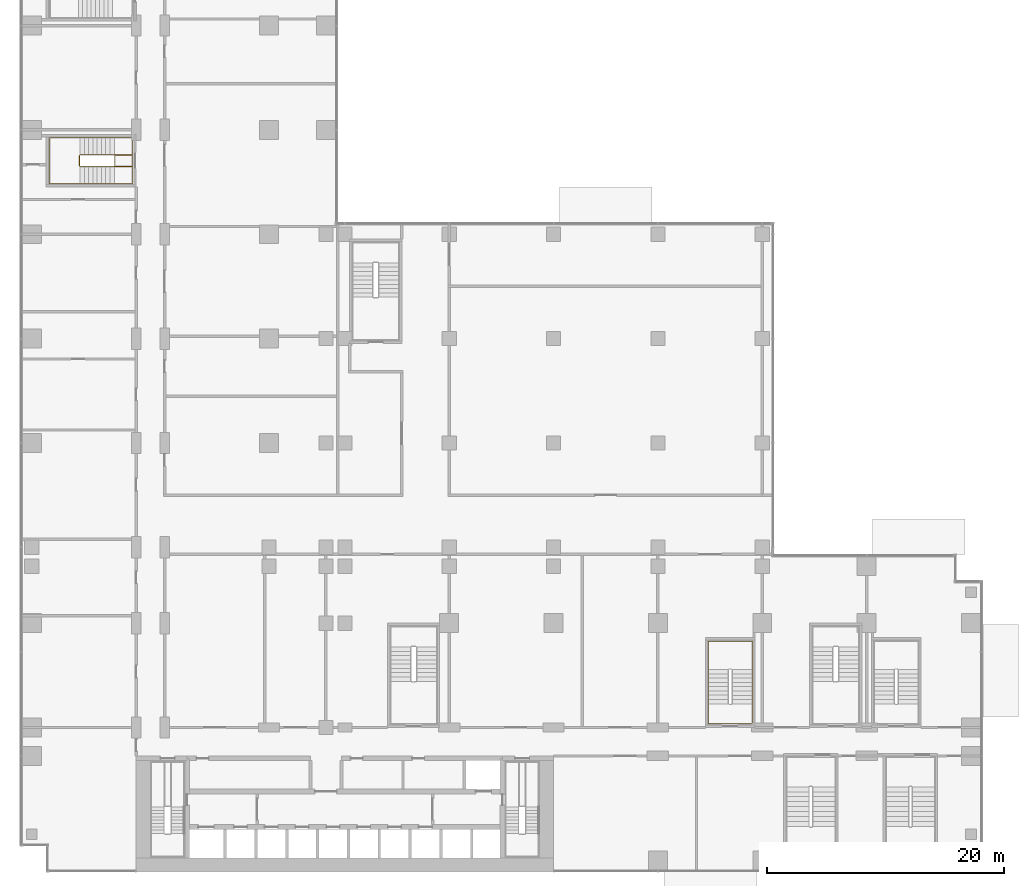
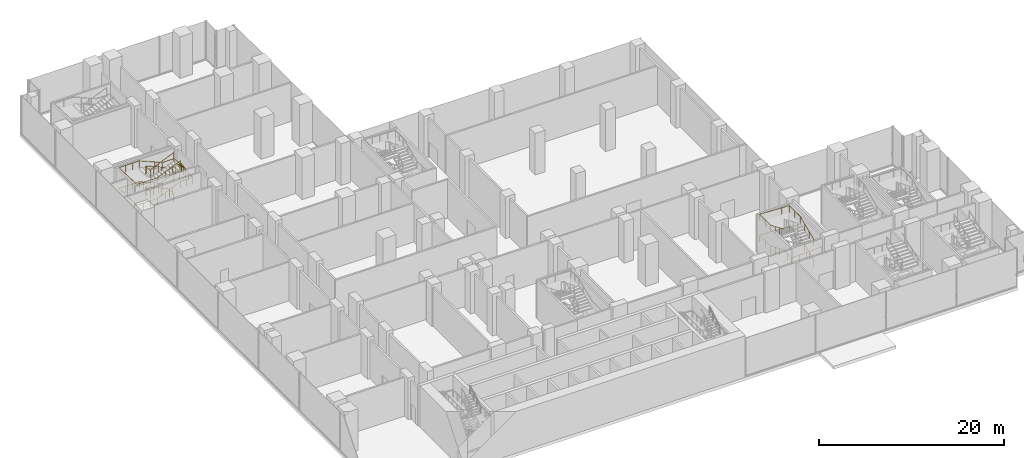
# One storey, part 27 of 30: 3 railings.
"""IFC4 building model written with IfcOpenShell, lengths in metres."""

from ifc_helpers import new_model, si_unit, direction, frame, origin, origin_2d, place, context, subcontext, project, spatial, circle, extrude, material, type_object, element, save


model = new_model("IFC4")

# Units and contexts
model_context = context("Model", 3, precision=1e-05, world=origin(), true_north=direction((0.0, 1.0)))
body_context = subcontext(model_context, "Body", "Model", "MODEL_VIEW")
ifc_project = project(units=[si_unit("LENGTHUNIT", "METRE"), si_unit("AREAUNIT", "SQUARE_METRE"), si_unit("VOLUMEUNIT", "CUBIC_METRE"), si_unit("PLANEANGLEUNIT", "RADIAN"), si_unit("MASSUNIT", "GRAM", prefix="KILO")], contexts=[model_context])

# Site, building, storey
site_placement = place(None, origin())
site = spatial("IfcSite", under=ifc_project, at=site_placement, CompositionType="ELEMENT")
building_placement = place(site_placement, origin())
building = spatial("IfcBuilding", under=site, at=building_placement, Name="Kemantara Hotel Tower", CompositionType="ELEMENT")
storey_placement = place(building_placement, frame((0.0, 0.0, 7.5)))
storey = spatial("IfcBuildingStorey", under=building, at=storey_placement, Name="L01", CompositionType="ELEMENT", Elevation=7.5)

# Railings
ifc_material = material(Name="Stainless steel balustrade", Category="steel")
railing_type_1 = type_object("IfcRailingType", Name="Stair guard 1100 mm", PredefinedType="GUARDRAIL", material=ifc_material)
railing_1_placement = place(storey_placement, frame((7.949951171875, 59.5, 5.5)))
element("IfcRailing", 1, at=railing_1_placement, inside=storey, type_object=railing_type_1, Name="L01 ST4 stair guard 1", PredefinedType="GUARDRAIL", context=body_context, shape_type="SweptSolid", body=[
    extrude(circle(Radius=0.02392578125, at=origin_2d()), frame((0.0, 0.0, 1.076171875), z_axis=(-0.920535863683, 0.0, -0.390658064903), x_axis=(0.0, -1.0, 0.0)), (0.0, 0.0, 1.0), 3.12841796875),
    extrude(circle(Radius=0.02392578125, at=origin_2d()), frame((-2.8798828125, 0.0, -0.14599609375), z_axis=(-0.297155754911, 0.297155754911, -0.90741220768), x_axis=(-0.707106781187, -0.707106781187, 0.0)), (0.0, 0.0, 1.0), 0.16845703125),
    extrude(circle(Radius=0.02392578125, at=origin_2d()), frame((-2.929931640625, 0.050048828125, -0.298828125), z_axis=(0.0, 1.0, 0.0), x_axis=(-1.0, 0.0, 0.0)), (0.0, 0.0, 1.0), 0.89990234375),
    extrude(circle(Radius=0.02392578125, at=origin_2d()), frame((-2.929931640625, 0.949951171875, -0.298828125), z_axis=(0.707106781187, 0.707106781187, 0.0), x_axis=(-0.707106781187, 0.707106781187, 0.0)), (0.0, 0.0, 1.0), 0.07080078125),
    extrude(circle(Radius=0.02392578125, at=origin_2d()), frame((-2.8798828125, 1.0, -0.298828125), z_axis=(0.920535863683, 0.0, -0.390658064903), x_axis=(0.0, 1.0, 0.0)), (0.0, 0.0, 1.0), 3.12841796875),
    extrude(circle(Radius=0.02392578125, at=origin_2d()), frame((0.0, 1.0, -1.52099609375), z_axis=(1.0, 0.0, 0.0), x_axis=(0.0, 1.0, 0.0)), (0.0, 0.0, 1.0), 1.530029296875),
    extrude(circle(Radius=0.02392578125, at=origin_2d()), frame((1.530029296875, 1.0, -1.52099609375), z_axis=(0.0, -0.98730409242, -0.158841521936), x_axis=(1.0, 0.0, 0.0)), (0.0, 0.0, 1.0), 0.962158203125),
    extrude(circle(Radius=0.02392578125, at=origin_2d()), frame((1.530029296875, 0.050048828125, -1.673828125), z_axis=(-1.0, 0.0, 0.0), x_axis=(0.0, -1.0, 0.0)), (0.0, 0.0, 1.0), 1.47998046875),
    extrude(circle(Radius=0.02392578125, at=origin_2d()), frame((0.050048828125, 0.050048828125, -1.673828125), z_axis=(0.0, 1.0, 0.0), x_axis=(-1.0, 0.0, 0.0)), (0.0, 0.0, 1.0), 0.89990234375),
    extrude(circle(Radius=0.02392578125, at=origin_2d()), frame((0.050048828125, 0.949951171875, -1.673828125), z_axis=(1.0, 0.0, 0.0), x_axis=(0.0, 1.0, 0.0)), (0.0, 0.0, 1.0), 1.47998046875),
    extrude(circle(Radius=0.02392578125, at=origin_2d()), frame((1.530029296875, 0.949951171875, -1.673828125), z_axis=(0.0, -1.0, 0.0), x_axis=(1.0, 0.0, 0.0)), (0.0, 0.0, 1.0), 0.949951171875),
    extrude(circle(Radius=0.02392578125, at=origin_2d()), frame((1.530029296875, 0.0, -1.673828125), z_axis=(-1.0, 0.0, 0.0), x_axis=(0.0, -1.0, 0.0)), (0.0, 0.0, 1.0), 1.530029296875),
    extrude(circle(Radius=0.02392578125, at=origin_2d()), frame((0.0, 0.0, -1.673828125), z_axis=(-0.920535863683, 0.0, -0.390658064903), x_axis=(0.0, -1.0, 0.0)), (0.0, 0.0, 1.0), 3.12841796875),
    extrude(circle(Radius=0.02392578125, at=origin_2d()), frame((-2.8798828125, 0.0, -2.89599609375), z_axis=(-0.297155754911, 0.297155754911, -0.90741220768), x_axis=(-0.707106781187, -0.707106781187, 0.0)), (0.0, 0.0, 1.0), 0.16845703125),
    extrude(circle(Radius=0.02392578125, at=origin_2d()), frame((-2.929931640625, 0.050048828125, -3.048828125), z_axis=(0.0, 1.0, 0.0), x_axis=(-1.0, 0.0, 0.0)), (0.0, 0.0, 1.0), 0.89990234375),
    extrude(circle(Radius=0.02392578125, at=origin_2d()), frame((-2.929931640625, 0.949951171875, -3.048828125), z_axis=(0.707106781187, 0.707106781187, 0.0), x_axis=(-0.707106781187, 0.707106781187, 0.0)), (0.0, 0.0, 1.0), 0.07080078125),
    extrude(circle(Radius=0.02392578125, at=origin_2d()), frame((-2.8798828125, 1.0, -3.048828125), z_axis=(0.920535863683, 0.0, -0.390658064903), x_axis=(0.0, 1.0, 0.0)), (0.0, 0.0, 1.0), 3.12841796875),
    extrude(circle(Radius=0.02392578125, at=origin_2d()), frame((0.0, 1.0, -4.27099609375), z_axis=(0.297155754911, -0.297155754911, -0.90741220768), x_axis=(0.707106781187, 0.707106781187, 0.0)), (0.0, 0.0, 1.0), 0.16845703125),
    extrude(circle(Radius=0.02392578125, at=origin_2d()), frame((0.050048828125, 0.949951171875, -4.423828125), z_axis=(0.0, -1.0, 0.0), x_axis=(1.0, 0.0, 0.0)), (0.0, 0.0, 1.0), 0.89990234375),
    extrude(circle(Radius=0.02099609375, at=origin_2d()), origin(), (0.0, 0.0, 1.0), 1.052001953125),
    extrude(circle(Radius=0.02099609375, at=origin_2d()), frame((-0.9599609375, 0.0, -0.407470703125)), (0.0, 0.0, 1.0), 1.052001953125),
    extrude(circle(Radius=0.02099609375, at=origin_2d()), frame((-1.919921875, 0.0, -0.814697265625)), (0.0, 0.0, 1.0), 1.052001953125),
    extrude(circle(Radius=0.02099609375, at=origin_2d()), frame((-2.8798828125, 0.0, -1.22216796875)), (0.0, 0.0, 1.0), 1.052001953125),
    extrude(circle(Radius=0.02099609375, at=origin_2d()), frame((-2.929931640625, 0.050048828125, -1.375)), (0.0, 0.0, 1.0), 1.052001953125),
    extrude(circle(Radius=0.02099609375, at=origin_2d()), frame((-2.929931640625, 0.949951171875, -1.375)), (0.0, 0.0, 1.0), 1.052001953125),
    extrude(circle(Radius=0.02099609375, at=origin_2d()), frame((-2.8798828125, 1.0, -1.375)), (0.0, 0.0, 1.0), 1.052001953125),
    extrude(circle(Radius=0.02099609375, at=origin_2d()), frame((-1.919921875, 1.0, -1.782470703125)), (0.0, 0.0, 1.0), 1.052001953125),
    extrude(circle(Radius=0.02099609375, at=origin_2d()), frame((-0.9599609375, 1.0, -2.189697265625)), (0.0, 0.0, 1.0), 1.052001953125),
    extrude(circle(Radius=0.02099609375, at=origin_2d()), frame((0.0, 1.0, -2.59716796875)), (0.0, 0.0, 1.0), 1.052001953125),
    extrude(circle(Radius=0.02099609375, at=origin_2d()), frame((0.76513671875, 1.0, -2.59716796875)), (0.0, 0.0, 1.0), 1.052001953125),
    extrude(circle(Radius=0.02099609375, at=origin_2d()), frame((1.530029296875, 1.0, -2.59716796875)), (0.0, 0.0, 1.0), 1.052001953125),
    extrude(circle(Radius=0.02099609375, at=origin_2d()), frame((1.530029296875, 0.050048828125, -2.75)), (0.0, 0.0, 1.0), 1.052001953125),
    extrude(circle(Radius=0.02099609375, at=origin_2d()), frame((0.7900390625, 0.050048828125, -2.75)), (0.0, 0.0, 1.0), 1.052001953125),
    extrude(circle(Radius=0.02099609375, at=origin_2d()), frame((0.050048828125, 0.050048828125, -2.75)), (0.0, 0.0, 1.0), 1.052001953125),
    extrude(circle(Radius=0.02099609375, at=origin_2d()), frame((0.050048828125, 0.949951171875, -2.75)), (0.0, 0.0, 1.0), 1.052001953125),
    extrude(circle(Radius=0.02099609375, at=origin_2d()), frame((0.7900390625, 0.949951171875, -2.75)), (0.0, 0.0, 1.0), 1.052001953125),
    extrude(circle(Radius=0.02099609375, at=origin_2d()), frame((1.530029296875, 0.949951171875, -2.75)), (0.0, 0.0, 1.0), 1.052001953125),
    extrude(circle(Radius=0.02099609375, at=origin_2d()), frame((1.530029296875, 0.0, -2.75)), (0.0, 0.0, 1.0), 1.052001953125),
    extrude(circle(Radius=0.02099609375, at=origin_2d()), frame((0.76513671875, 0.0, -2.75)), (0.0, 0.0, 1.0), 1.052001953125),
    extrude(circle(Radius=0.02099609375, at=origin_2d()), frame((0.0, 0.0, -2.75)), (0.0, 0.0, 1.0), 1.052001953125),
    extrude(circle(Radius=0.02099609375, at=origin_2d()), frame((-0.9599609375, 0.0, -3.157470703125)), (0.0, 0.0, 1.0), 1.052001953125),
    extrude(circle(Radius=0.02099609375, at=origin_2d()), frame((-1.919921875, 0.0, -3.564697265625)), (0.0, 0.0, 1.0), 1.052001953125),
    extrude(circle(Radius=0.02099609375, at=origin_2d()), frame((-2.8798828125, 0.0, -3.97216796875)), (0.0, 0.0, 1.0), 1.052001953125),
    extrude(circle(Radius=0.02099609375, at=origin_2d()), frame((-2.929931640625, 0.050048828125, -4.125)), (0.0, 0.0, 1.0), 1.052001953125),
    extrude(circle(Radius=0.02099609375, at=origin_2d()), frame((-2.929931640625, 0.949951171875, -4.125)), (0.0, 0.0, 1.0), 1.052001953125),
    extrude(circle(Radius=0.02099609375, at=origin_2d()), frame((-2.8798828125, 1.0, -4.125)), (0.0, 0.0, 1.0), 1.052001953125),
    extrude(circle(Radius=0.02099609375, at=origin_2d()), frame((-1.919921875, 1.0, -4.532470703125)), (0.0, 0.0, 1.0), 1.052001953125),
    extrude(circle(Radius=0.02099609375, at=origin_2d()), frame((-0.9599609375, 1.0, -4.939697265625)), (0.0, 0.0, 1.0), 1.052001953125),
    extrude(circle(Radius=0.02099609375, at=origin_2d()), frame((0.0, 1.0, -5.34716796875)), (0.0, 0.0, 1.0), 1.052001953125),
    extrude(circle(Radius=0.02099609375, at=origin_2d()), frame((0.050048828125, 0.949951171875, -5.5)), (0.0, 0.0, 1.0), 1.052001953125),
    extrude(circle(Radius=0.02099609375, at=origin_2d()), frame((0.050048828125, 0.050048828125, -5.5)), (0.0, 0.0, 1.0), 1.052001953125),
])
railing_type_2 = type_object("IfcRailingType", Name="Stair handrail 900 mm", PredefinedType="HANDRAIL", material=ifc_material)
railing_2_placement = place(storey_placement, frame((61.75, 14.199951171875, 0.15283203125)))
element("IfcRailing", 2, at=railing_2_placement, inside=storey, type_object=railing_type_2, Name="L01 ST3 stair handrail 1", PredefinedType="HANDRAIL", context=body_context, shape_type="SweptSolid", body=[
    extrude(circle(Radius=0.02392578125, at=origin_2d()), frame((0.0, 0.0, 0.8759765625), z_axis=(0.0, 0.920547772064, 0.390630003133), x_axis=(-1.0, 0.0, 0.0)), (0.0, 0.0, 1.0), 3.128662109375),
    extrude(circle(Radius=0.02392578125, at=origin_2d()), frame((0.0, 2.880126953125, 2.09814453125), z_axis=(0.0, 1.0, 0.0), x_axis=(-1.0, 0.0, 0.0)), (0.0, 0.0, 1.0), 2.39990234375),
    extrude(circle(Radius=0.02392578125, at=origin_2d()), frame((0.0, 5.280029296875, 2.09814453125), z_axis=(-0.999147976703, 0.0, 0.041271305405), x_axis=(0.0, -1.0, 0.0)), (0.0, 0.0, 1.0), 3.703125),
    extrude(circle(Radius=0.02392578125, at=origin_2d()), frame((-3.699951171875, 5.280029296875, 2.2509765625), z_axis=(0.0, -1.0, 0.0), x_axis=(1.0, 0.0, 0.0)), (0.0, 0.0, 1.0), 2.39990234375),
    extrude(circle(Radius=0.02392578125, at=origin_2d()), frame((-3.699951171875, 2.880126953125, 2.2509765625), z_axis=(0.0, -0.920547772064, 0.390630003133), x_axis=(1.0, 0.0, 0.0)), (0.0, 0.0, 1.0), 3.128662109375),
    extrude(circle(Radius=0.02392578125, at=origin_2d()), frame((-3.699951171875, 0.0, 3.47314453125), z_axis=(0.0, -1.0, 0.0), x_axis=(1.0, 0.0, 0.0)), (0.0, 0.0, 1.0), 1.679931640625),
    extrude(circle(Radius=0.02392578125, at=origin_2d()), frame((-3.699951171875, -1.679931640625, 3.47314453125), z_axis=(0.999147976703, 0.0, 0.041271305405), x_axis=(0.0, 1.0, 0.0)), (0.0, 0.0, 1.0), 3.703125),
    extrude(circle(Radius=0.02392578125, at=origin_2d()), frame((0.0, -1.679931640625, 3.6259765625), z_axis=(0.0, 1.0, 0.0), x_axis=(-1.0, 0.0, 0.0)), (0.0, 0.0, 1.0), 1.679931640625),
    extrude(circle(Radius=0.02392578125, at=origin_2d()), frame((0.0, 0.0, 3.6259765625), z_axis=(0.0, 0.920547772064, 0.390630003133), x_axis=(-1.0, 0.0, 0.0)), (0.0, 0.0, 1.0), 3.128662109375),
    extrude(circle(Radius=0.02392578125, at=origin_2d()), frame((0.0, 2.880126953125, 4.84814453125), z_axis=(0.0, 1.0, 0.0), x_axis=(-1.0, 0.0, 0.0)), (0.0, 0.0, 1.0), 2.39990234375),
    extrude(circle(Radius=0.02392578125, at=origin_2d()), frame((0.0, 5.280029296875, 4.84814453125), z_axis=(-0.999147976703, 0.0, 0.041271305405), x_axis=(0.0, -1.0, 0.0)), (0.0, 0.0, 1.0), 3.703125),
    extrude(circle(Radius=0.02392578125, at=origin_2d()), frame((-3.699951171875, 5.280029296875, 5.0009765625), z_axis=(0.0, -1.0, 0.0), x_axis=(1.0, 0.0, 0.0)), (0.0, 0.0, 1.0), 2.39990234375),
    extrude(circle(Radius=0.02392578125, at=origin_2d()), frame((-3.699951171875, 2.880126953125, 5.0009765625), z_axis=(0.0, -0.920547772064, 0.390630003133), x_axis=(1.0, 0.0, 0.0)), (0.0, 0.0, 1.0), 3.128662109375),
    extrude(circle(Radius=0.02099609375, at=origin_2d()), origin(), (0.0, 0.0, 1.0), 0.851806640625),
    extrude(circle(Radius=0.02099609375, at=origin_2d()), frame((0.0, 0.9599609375, 0.407470703125)), (0.0, 0.0, 1.0), 0.851806640625),
    extrude(circle(Radius=0.02099609375, at=origin_2d()), frame((0.0, 1.920166015625, 0.814697265625)), (0.0, 0.0, 1.0), 0.851806640625),
    extrude(circle(Radius=0.02099609375, at=origin_2d()), frame((0.0, 2.880126953125, 1.22216796875)), (0.0, 0.0, 1.0), 0.851806640625),
    extrude(circle(Radius=0.02099609375, at=origin_2d()), frame((0.0, 4.080078125, 1.22216796875)), (0.0, 0.0, 1.0), 0.851806640625),
    extrude(circle(Radius=0.02099609375, at=origin_2d()), frame((0.0, 5.280029296875, 1.22216796875)), (0.0, 0.0, 1.0), 0.851806640625),
    extrude(circle(Radius=0.02099609375, at=origin_2d()), frame((-0.925048828125, 5.280029296875, 1.26025390625)), (0.0, 0.0, 1.0), 0.851806640625),
    extrude(circle(Radius=0.02099609375, at=origin_2d()), frame((-1.85009765625, 5.280029296875, 1.298583984375)), (0.0, 0.0, 1.0), 0.851806640625),
    extrude(circle(Radius=0.02099609375, at=origin_2d()), frame((-2.77490234375, 5.280029296875, 1.3369140625)), (0.0, 0.0, 1.0), 0.851806640625),
    extrude(circle(Radius=0.02099609375, at=origin_2d()), frame((-3.699951171875, 5.280029296875, 1.375)), (0.0, 0.0, 1.0), 0.851806640625),
    extrude(circle(Radius=0.02099609375, at=origin_2d()), frame((-3.699951171875, 4.080078125, 1.375)), (0.0, 0.0, 1.0), 0.851806640625),
    extrude(circle(Radius=0.02099609375, at=origin_2d()), frame((-3.699951171875, 2.880126953125, 1.375)), (0.0, 0.0, 1.0), 0.851806640625),
    extrude(circle(Radius=0.02099609375, at=origin_2d()), frame((-3.699951171875, 1.920166015625, 1.782470703125)), (0.0, 0.0, 1.0), 0.851806640625),
    extrude(circle(Radius=0.02099609375, at=origin_2d()), frame((-3.699951171875, 0.9599609375, 2.189697265625)), (0.0, 0.0, 1.0), 0.851806640625),
    extrude(circle(Radius=0.02099609375, at=origin_2d()), frame((-3.699951171875, 0.0, 2.59716796875)), (0.0, 0.0, 1.0), 0.851806640625),
    extrude(circle(Radius=0.02099609375, at=origin_2d()), frame((-3.699951171875, -0.83984375, 2.59716796875)), (0.0, 0.0, 1.0), 0.851806640625),
    extrude(circle(Radius=0.02099609375, at=origin_2d()), frame((-3.699951171875, -1.679931640625, 2.59716796875)), (0.0, 0.0, 1.0), 0.851806640625),
    extrude(circle(Radius=0.02099609375, at=origin_2d()), frame((-2.77490234375, -1.679931640625, 2.63525390625)), (0.0, 0.0, 1.0), 0.851806640625),
    extrude(circle(Radius=0.02099609375, at=origin_2d()), frame((-1.85009765625, -1.679931640625, 2.673583984375)), (0.0, 0.0, 1.0), 0.851806640625),
    extrude(circle(Radius=0.02099609375, at=origin_2d()), frame((-0.925048828125, -1.679931640625, 2.7119140625)), (0.0, 0.0, 1.0), 0.851806640625),
    extrude(circle(Radius=0.02099609375, at=origin_2d()), frame((0.0, -1.679931640625, 2.75)), (0.0, 0.0, 1.0), 0.851806640625),
    extrude(circle(Radius=0.02099609375, at=origin_2d()), frame((0.0, -0.83984375, 2.75)), (0.0, 0.0, 1.0), 0.851806640625),
    extrude(circle(Radius=0.02099609375, at=origin_2d()), frame((0.0, 0.0, 2.75)), (0.0, 0.0, 1.0), 0.851806640625),
    extrude(circle(Radius=0.02099609375, at=origin_2d()), frame((0.0, 0.9599609375, 3.157470703125)), (0.0, 0.0, 1.0), 0.851806640625),
    extrude(circle(Radius=0.02099609375, at=origin_2d()), frame((0.0, 1.920166015625, 3.564697265625)), (0.0, 0.0, 1.0), 0.851806640625),
    extrude(circle(Radius=0.02099609375, at=origin_2d()), frame((0.0, 2.880126953125, 3.97216796875)), (0.0, 0.0, 1.0), 0.851806640625),
    extrude(circle(Radius=0.02099609375, at=origin_2d()), frame((0.0, 4.080078125, 3.97216796875)), (0.0, 0.0, 1.0), 0.851806640625),
    extrude(circle(Radius=0.02099609375, at=origin_2d()), frame((0.0, 5.280029296875, 3.97216796875)), (0.0, 0.0, 1.0), 0.851806640625),
    extrude(circle(Radius=0.02099609375, at=origin_2d()), frame((-0.925048828125, 5.280029296875, 4.01025390625)), (0.0, 0.0, 1.0), 0.851806640625),
    extrude(circle(Radius=0.02099609375, at=origin_2d()), frame((-1.85009765625, 5.280029296875, 4.048583984375)), (0.0, 0.0, 1.0), 0.851806640625),
    extrude(circle(Radius=0.02099609375, at=origin_2d()), frame((-2.77490234375, 5.280029296875, 4.0869140625)), (0.0, 0.0, 1.0), 0.851806640625),
    extrude(circle(Radius=0.02099609375, at=origin_2d()), frame((-3.699951171875, 5.280029296875, 4.125)), (0.0, 0.0, 1.0), 0.851806640625),
    extrude(circle(Radius=0.02099609375, at=origin_2d()), frame((-3.699951171875, 4.080078125, 4.125)), (0.0, 0.0, 1.0), 0.851806640625),
    extrude(circle(Radius=0.02099609375, at=origin_2d()), frame((-3.699951171875, 2.880126953125, 4.125)), (0.0, 0.0, 1.0), 0.851806640625),
    extrude(circle(Radius=0.02099609375, at=origin_2d()), frame((-3.699951171875, 1.920166015625, 4.532470703125)), (0.0, 0.0, 1.0), 0.851806640625),
    extrude(circle(Radius=0.02099609375, at=origin_2d()), frame((-3.699951171875, 0.9599609375, 4.939697265625)), (0.0, 0.0, 1.0), 0.851806640625),
    extrude(circle(Radius=0.02099609375, at=origin_2d()), frame((-3.699951171875, 0.0, 5.34716796875)), (0.0, 0.0, 1.0), 0.851806640625),
])
railing_3_placement = place(storey_placement, frame((7.949951171875, 61.949951171875, 0.15283203125)))
element("IfcRailing", 3, at=railing_3_placement, inside=storey, type_object=railing_type_2, Name="L01 ST4 stair handrail 1", PredefinedType="HANDRAIL", context=body_context, shape_type="SweptSolid", body=[
    extrude(circle(Radius=0.02392578125, at=origin_2d()), frame((0.0, 0.0, 0.8759765625), z_axis=(-0.920535863683, 0.0, 0.390658064903), x_axis=(0.0, -1.0, 0.0)), (0.0, 0.0, 1.0), 3.12841796875),
    extrude(circle(Radius=0.02392578125, at=origin_2d()), frame((-2.8798828125, 0.0, 2.09814453125), z_axis=(-1.0, 0.0, 0.0), x_axis=(0.0, -1.0, 0.0)), (0.0, 0.0, 1.0), 2.550048828125),
    extrude(circle(Radius=0.02392578125, at=origin_2d()), frame((-5.429931640625, 0.0, 2.09814453125), z_axis=(0.0, -0.999233006938, 0.039158624161), x_axis=(1.0, 0.0, 0.0)), (0.0, 0.0, 1.0), 3.90283203125),
    extrude(circle(Radius=0.02392578125, at=origin_2d()), frame((-5.429931640625, -3.89990234375, 2.2509765625), z_axis=(1.0, 0.0, 0.0), x_axis=(0.0, 1.0, 0.0)), (0.0, 0.0, 1.0), 2.550048828125),
    extrude(circle(Radius=0.02392578125, at=origin_2d()), frame((-2.8798828125, -3.89990234375, 2.2509765625), z_axis=(0.920535863683, 0.0, 0.390658064903), x_axis=(0.0, 1.0, 0.0)), (0.0, 0.0, 1.0), 3.12841796875),
    extrude(circle(Radius=0.02392578125, at=origin_2d()), frame((0.0, -3.89990234375, 3.47314453125), z_axis=(1.0, 0.0, 0.0), x_axis=(0.0, 1.0, 0.0)), (0.0, 0.0, 1.0), 1.530029296875),
    extrude(circle(Radius=0.02392578125, at=origin_2d()), frame((1.530029296875, -3.89990234375, 3.47314453125), z_axis=(0.0, 0.999233006938, 0.039158624161), x_axis=(-1.0, 0.0, 0.0)), (0.0, 0.0, 1.0), 3.90283203125),
    extrude(circle(Radius=0.02392578125, at=origin_2d()), frame((1.530029296875, 0.0, 3.6259765625), z_axis=(-1.0, 0.0, 0.0), x_axis=(0.0, -1.0, 0.0)), (0.0, 0.0, 1.0), 1.530029296875),
    extrude(circle(Radius=0.02392578125, at=origin_2d()), frame((0.0, 0.0, 3.6259765625), z_axis=(-0.920535863683, 0.0, 0.390658064903), x_axis=(0.0, -1.0, 0.0)), (0.0, 0.0, 1.0), 3.12841796875),
    extrude(circle(Radius=0.02392578125, at=origin_2d()), frame((-2.8798828125, 0.0, 4.84814453125), z_axis=(-1.0, 0.0, 0.0), x_axis=(0.0, -1.0, 0.0)), (0.0, 0.0, 1.0), 2.550048828125),
    extrude(circle(Radius=0.02392578125, at=origin_2d()), frame((-5.429931640625, 0.0, 4.84814453125), z_axis=(0.0, -0.999233006938, 0.039158624161), x_axis=(1.0, 0.0, 0.0)), (0.0, 0.0, 1.0), 3.90283203125),
    extrude(circle(Radius=0.02392578125, at=origin_2d()), frame((-5.429931640625, -3.89990234375, 5.0009765625), z_axis=(1.0, 0.0, 0.0), x_axis=(0.0, 1.0, 0.0)), (0.0, 0.0, 1.0), 2.550048828125),
    extrude(circle(Radius=0.02392578125, at=origin_2d()), frame((-2.8798828125, -3.89990234375, 5.0009765625), z_axis=(0.920535863683, 0.0, 0.390658064903), x_axis=(0.0, 1.0, 0.0)), (0.0, 0.0, 1.0), 3.12841796875),
    extrude(circle(Radius=0.02099609375, at=origin_2d()), origin(), (0.0, 0.0, 1.0), 0.851806640625),
    extrude(circle(Radius=0.02099609375, at=origin_2d()), frame((-0.9599609375, 0.0, 0.407470703125)), (0.0, 0.0, 1.0), 0.851806640625),
    extrude(circle(Radius=0.02099609375, at=origin_2d()), frame((-1.919921875, 0.0, 0.814697265625)), (0.0, 0.0, 1.0), 0.851806640625),
    extrude(circle(Radius=0.02099609375, at=origin_2d()), frame((-2.8798828125, 0.0, 1.22216796875)), (0.0, 0.0, 1.0), 0.851806640625),
    extrude(circle(Radius=0.02099609375, at=origin_2d()), frame((-3.72998046875, 0.0, 1.22216796875)), (0.0, 0.0, 1.0), 0.851806640625),
    extrude(circle(Radius=0.02099609375, at=origin_2d()), frame((-4.579833984375, 0.0, 1.22216796875)), (0.0, 0.0, 1.0), 0.851806640625),
    extrude(circle(Radius=0.02099609375, at=origin_2d()), frame((-5.429931640625, 0.0, 1.22216796875)), (0.0, 0.0, 1.0), 0.851806640625),
    extrude(circle(Radius=0.02099609375, at=origin_2d()), frame((-5.429931640625, -0.97509765625, 1.26025390625)), (0.0, 0.0, 1.0), 0.851806640625),
    extrude(circle(Radius=0.02099609375, at=origin_2d()), frame((-5.429931640625, -1.949951171875, 1.298583984375)), (0.0, 0.0, 1.0), 0.851806640625),
    extrude(circle(Radius=0.02099609375, at=origin_2d()), frame((-5.429931640625, -2.9248046875, 1.3369140625)), (0.0, 0.0, 1.0), 0.851806640625),
    extrude(circle(Radius=0.02099609375, at=origin_2d()), frame((-5.429931640625, -3.89990234375, 1.375)), (0.0, 0.0, 1.0), 0.851806640625),
    extrude(circle(Radius=0.02099609375, at=origin_2d()), frame((-4.579833984375, -3.89990234375, 1.375)), (0.0, 0.0, 1.0), 0.851806640625),
    extrude(circle(Radius=0.02099609375, at=origin_2d()), frame((-3.72998046875, -3.89990234375, 1.375)), (0.0, 0.0, 1.0), 0.851806640625),
    extrude(circle(Radius=0.02099609375, at=origin_2d()), frame((-2.8798828125, -3.89990234375, 1.375)), (0.0, 0.0, 1.0), 0.851806640625),
    extrude(circle(Radius=0.02099609375, at=origin_2d()), frame((-1.919921875, -3.89990234375, 1.782470703125)), (0.0, 0.0, 1.0), 0.851806640625),
    extrude(circle(Radius=0.02099609375, at=origin_2d()), frame((-0.9599609375, -3.89990234375, 2.189697265625)), (0.0, 0.0, 1.0), 0.851806640625),
    extrude(circle(Radius=0.02099609375, at=origin_2d()), frame((0.0, -3.89990234375, 2.59716796875)), (0.0, 0.0, 1.0), 0.851806640625),
    extrude(circle(Radius=0.02099609375, at=origin_2d()), frame((0.76513671875, -3.89990234375, 2.59716796875)), (0.0, 0.0, 1.0), 0.851806640625),
    extrude(circle(Radius=0.02099609375, at=origin_2d()), frame((1.530029296875, -3.89990234375, 2.59716796875)), (0.0, 0.0, 1.0), 0.851806640625),
    extrude(circle(Radius=0.02099609375, at=origin_2d()), frame((1.530029296875, -2.9248046875, 2.63525390625)), (0.0, 0.0, 1.0), 0.851806640625),
    extrude(circle(Radius=0.02099609375, at=origin_2d()), frame((1.530029296875, -1.949951171875, 2.673583984375)), (0.0, 0.0, 1.0), 0.851806640625),
    extrude(circle(Radius=0.02099609375, at=origin_2d()), frame((1.530029296875, -0.97509765625, 2.7119140625)), (0.0, 0.0, 1.0), 0.851806640625),
    extrude(circle(Radius=0.02099609375, at=origin_2d()), frame((1.530029296875, 0.0, 2.75)), (0.0, 0.0, 1.0), 0.851806640625),
    extrude(circle(Radius=0.02099609375, at=origin_2d()), frame((0.76513671875, 0.0, 2.75)), (0.0, 0.0, 1.0), 0.851806640625),
    extrude(circle(Radius=0.02099609375, at=origin_2d()), frame((0.0, 0.0, 2.75)), (0.0, 0.0, 1.0), 0.851806640625),
    extrude(circle(Radius=0.02099609375, at=origin_2d()), frame((-0.9599609375, 0.0, 3.157470703125)), (0.0, 0.0, 1.0), 0.851806640625),
    extrude(circle(Radius=0.02099609375, at=origin_2d()), frame((-1.919921875, 0.0, 3.564697265625)), (0.0, 0.0, 1.0), 0.851806640625),
    extrude(circle(Radius=0.02099609375, at=origin_2d()), frame((-2.8798828125, 0.0, 3.97216796875)), (0.0, 0.0, 1.0), 0.851806640625),
    extrude(circle(Radius=0.02099609375, at=origin_2d()), frame((-3.72998046875, 0.0, 3.97216796875)), (0.0, 0.0, 1.0), 0.851806640625),
    extrude(circle(Radius=0.02099609375, at=origin_2d()), frame((-4.579833984375, 0.0, 3.97216796875)), (0.0, 0.0, 1.0), 0.851806640625),
    extrude(circle(Radius=0.02099609375, at=origin_2d()), frame((-5.429931640625, 0.0, 3.97216796875)), (0.0, 0.0, 1.0), 0.851806640625),
    extrude(circle(Radius=0.02099609375, at=origin_2d()), frame((-5.429931640625, -0.97509765625, 4.01025390625)), (0.0, 0.0, 1.0), 0.851806640625),
    extrude(circle(Radius=0.02099609375, at=origin_2d()), frame((-5.429931640625, -1.949951171875, 4.048583984375)), (0.0, 0.0, 1.0), 0.851806640625),
    extrude(circle(Radius=0.02099609375, at=origin_2d()), frame((-5.429931640625, -2.9248046875, 4.0869140625)), (0.0, 0.0, 1.0), 0.851806640625),
    extrude(circle(Radius=0.02099609375, at=origin_2d()), frame((-5.429931640625, -3.89990234375, 4.125)), (0.0, 0.0, 1.0), 0.851806640625),
    extrude(circle(Radius=0.02099609375, at=origin_2d()), frame((-4.579833984375, -3.89990234375, 4.125)), (0.0, 0.0, 1.0), 0.851806640625),
    extrude(circle(Radius=0.02099609375, at=origin_2d()), frame((-3.72998046875, -3.89990234375, 4.125)), (0.0, 0.0, 1.0), 0.851806640625),
    extrude(circle(Radius=0.02099609375, at=origin_2d()), frame((-2.8798828125, -3.89990234375, 4.125)), (0.0, 0.0, 1.0), 0.851806640625),
    extrude(circle(Radius=0.02099609375, at=origin_2d()), frame((-1.919921875, -3.89990234375, 4.532470703125)), (0.0, 0.0, 1.0), 0.851806640625),
    extrude(circle(Radius=0.02099609375, at=origin_2d()), frame((-0.9599609375, -3.89990234375, 4.939697265625)), (0.0, 0.0, 1.0), 0.851806640625),
    extrude(circle(Radius=0.02099609375, at=origin_2d()), frame((0.0, -3.89990234375, 5.34716796875)), (0.0, 0.0, 1.0), 0.851806640625),
])

save(model, "model.ifc")
